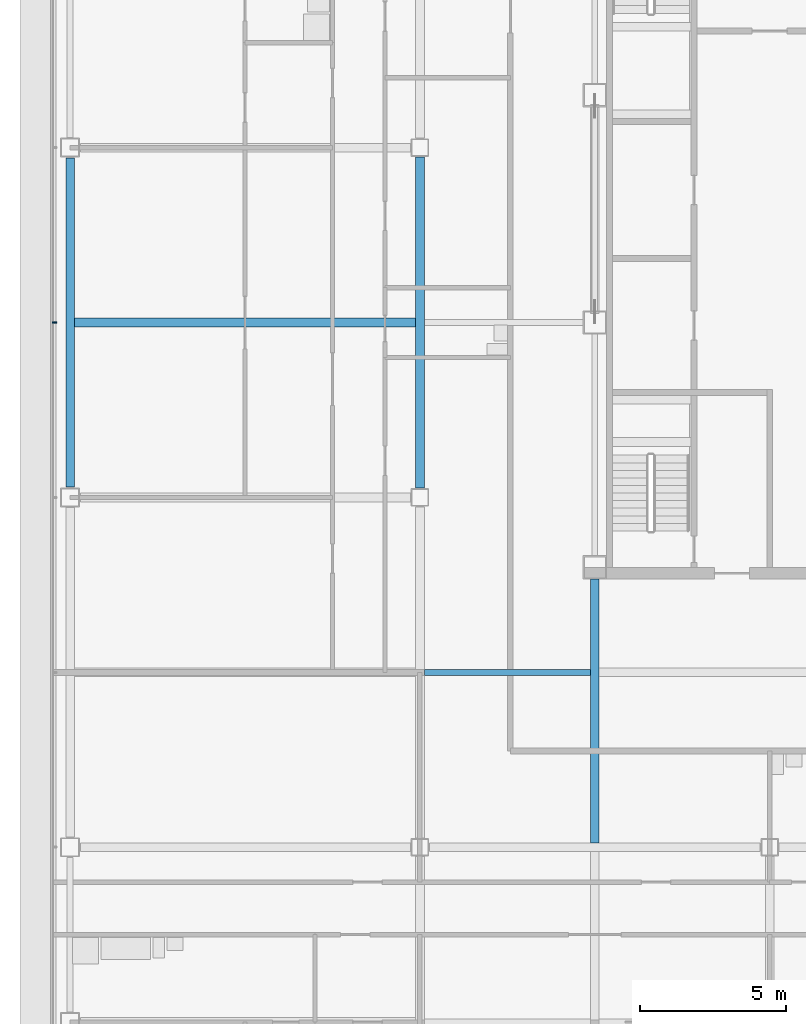
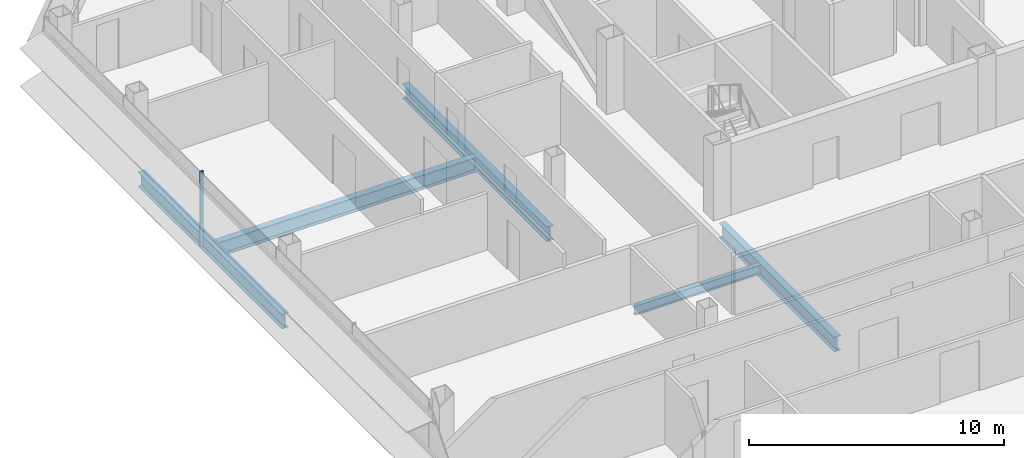
# One storey, part 6 of 29: 5 beams, 1 member, 1 element without a shape of its own.
"""IFC4 building model written with IfcOpenShell, lengths in metres."""

from ifc_helpers import new_model, si_unit, direction, frame, origin, origin_2d, place, context, subcontext, project, spatial, rectangle, i_section, extrude, material, material_profile, profile_set, type_object, element, aggregate, save


model = new_model("IFC4")

# Units and contexts
model_context = context("Model", 3, precision=1e-05, world=origin(), true_north=direction((0.0, 1.0)))
body_context = subcontext(model_context, "Body", "Model", "MODEL_VIEW")
ifc_project = project(units=[si_unit("LENGTHUNIT", "METRE"), si_unit("AREAUNIT", "SQUARE_METRE"), si_unit("VOLUMEUNIT", "CUBIC_METRE"), si_unit("PLANEANGLEUNIT", "RADIAN"), si_unit("MASSUNIT", "GRAM", prefix="KILO")], contexts=[model_context])

# Site, building, storey
site_placement = place(None, origin())
site = spatial("IfcSite", under=ifc_project, at=site_placement, CompositionType="ELEMENT")
building_placement = place(site_placement, origin())
building = spatial("IfcBuilding", under=site, at=building_placement, Name="Sorahane Residences", CompositionType="ELEMENT")
storey_placement = place(building_placement, frame((0.0, 0.0, 199.199951171875)))
storey = spatial("IfcBuildingStorey", under=building, at=storey_placement, Name="L46", CompositionType="ELEMENT", Elevation=199.199951171875)

# Curtain wall, member
ifc_material_1 = material(Name="Dark low-e glass and black anodised aluminium", Category="aluminium")
curtain_wall_type = type_object("IfcCurtainWallType", Name="Curtain wall CW-1 Typical unitised wall", PredefinedType="NOTDEFINED", material=ifc_material_1)
curtain_wall_placement = place(storey_placement, origin())
curtain_wall = element("IfcCurtainWall", 1, at=curtain_wall_placement, inside=storey, type_object=curtain_wall_type, Name="CW-1 curtain wall L46 W1", PredefinedType="NOTDEFINED")
ifc_material_2 = material(Name="Black anodised aluminium", Category="aluminium")
ifc_material_profile_1 = material_profile(ifc_material_2, rectangle(XDim=0.159912109375, YDim=0.050048828125, at=origin_2d()), Name="Curtain wall mullion CW-1 black anodised aluminium 50x160")
ifc_profile_set_1 = profile_set([ifc_material_profile_1], Name="Black anodised aluminium")
member_type = type_object("IfcMemberType", Name="Curtain wall mullion CW-1 black anodised aluminium 50x160", PredefinedType="MULLION", material=ifc_profile_set_1)
member_placement = place(storey_placement, frame((-12.5400390625, 30.0, -0.179931640625), z_axis=(0.0, 0.0, 1.0), x_axis=(-1.0, 0.0, 0.0)))
member = element("IfcMember", 2, at=member_placement, type_object=member_type, Name="CW-1 mullion L46 W1.3", PredefinedType="MULLION", context=body_context, shape_type="SweptSolid", body=[
    extrude(rectangle(XDim=0.159912109375, YDim=0.050048828125, at=origin_2d()), origin(), (0.0, 0.0, 1.0), 3.60009765625),
])
aggregate(curtain_wall, [member])

# Beams
ifc_material_3 = material(Name="Steel Q355B", Category="steel")
ifc_material_profile_2 = material_profile(ifc_material_3, i_section(OverallWidth=0.199951171875, OverallDepth=0.449951171875, WebThickness=0.009033203125, FlangeThickness=0.013916015625, FilletRadius=0.02001953125, at=origin_2d()), Name="HN 450x200x9x14")
ifc_profile_set_2 = profile_set([ifc_material_profile_2], Name="Steel Q355B")
beam_type_1 = type_object("IfcBeamType", Name="Steel floor beam HN 450x200x9x14 Q355B", PredefinedType="BEAM", material=ifc_profile_set_2)
beam_1_placement = place(storey_placement, frame((0.14990234375, 18.0, -0.405029296875), z_axis=(1.0, 0.0, 0.0), x_axis=(0.0, 1.0, 0.0)))
element("IfcBeam", 3, at=beam_1_placement, inside=storey, type_object=beam_type_1, Name="Beam L46 076", PredefinedType="BEAM", context=body_context, shape_type="SweptSolid", body=[
    extrude(i_section(OverallWidth=0.199951171875, OverallDepth=0.449951171875, WebThickness=0.009033203125, FlangeThickness=0.013916015625, FilletRadius=0.02001953125, at=origin_2d()), origin(), (0.0, 0.0, 1.0), 5.7001953125),
])
ifc_material_4 = material(Name="Steel Q355B", Category="steel")
ifc_material_profile_3 = material_profile(ifc_material_4, i_section(OverallWidth=0.300048828125, OverallDepth=0.699951171875, WebThickness=0.012939453125, FlangeThickness=0.02392578125, FilletRadius=0.028076171875, at=origin_2d()), Name="HN 700x300x13x24")
ifc_profile_set_3 = profile_set([ifc_material_profile_3], Name="Steel Q355B")
beam_type_2 = type_object("IfcBeamType", Name="Steel floor beam HN 700x300x13x24 Q355B", PredefinedType="BEAM", material=ifc_profile_set_3)
beam_2_placement = place(storey_placement, frame((-12.0, 24.35009765625, -0.530029296875), z_axis=(0.0, 1.0, 0.0), x_axis=(-1.0, 0.0, 0.0)))
element("IfcBeam", 4, at=beam_2_placement, inside=storey, type_object=beam_type_2, Name="Beam L46 021", PredefinedType="BEAM", context=body_context, shape_type="SweptSolid", body=[
    extrude(i_section(OverallWidth=0.300048828125, OverallDepth=0.699951171875, WebThickness=0.012939453125, FlangeThickness=0.02392578125, FilletRadius=0.028076171875, at=origin_2d()), origin(), (0.0, 0.0, 1.0), 11.2998046875),
])
beam_3_placement = place(storey_placement, frame((0.0, 24.324951171875, -0.530029296875), z_axis=(0.0, 1.0, 0.0), x_axis=(-1.0, 0.0, 0.0)))
element("IfcBeam", 5, at=beam_3_placement, inside=storey, type_object=beam_type_2, Name="Beam L46 025", PredefinedType="BEAM", context=body_context, shape_type="SweptSolid", body=[
    extrude(i_section(OverallWidth=0.300048828125, OverallDepth=0.699951171875, WebThickness=0.012939453125, FlangeThickness=0.02392578125, FilletRadius=0.028076171875, at=origin_2d()), origin(), (0.0, 0.0, 1.0), 11.35009765625),
])
beam_4_placement = place(storey_placement, frame((6.0, 12.14990234375, -0.530029296875), z_axis=(0.0, 1.0, 0.0), x_axis=(-1.0, 0.0, 0.0)))
element("IfcBeam", 6, at=beam_4_placement, inside=storey, type_object=beam_type_2, Name="Beam L46 028", PredefinedType="BEAM", context=body_context, shape_type="SweptSolid", body=[
    extrude(i_section(OverallWidth=0.300048828125, OverallDepth=0.699951171875, WebThickness=0.012939453125, FlangeThickness=0.02392578125, FilletRadius=0.028076171875, at=origin_2d()), origin(), (0.0, 0.0, 1.0), 9.050048828125),
])
beam_5_placement = place(storey_placement, frame((-11.85009765625, 30.0, -0.530029296875), z_axis=(1.0, 0.0, 0.0), x_axis=(0.0, 1.0, 0.0)))
element("IfcBeam", 7, at=beam_5_placement, inside=storey, type_object=beam_type_2, Name="Beam L46 082", PredefinedType="BEAM", context=body_context, shape_type="SweptSolid", body=[
    extrude(i_section(OverallWidth=0.300048828125, OverallDepth=0.699951171875, WebThickness=0.012939453125, FlangeThickness=0.02392578125, FilletRadius=0.028076171875, at=origin_2d()), origin(), (0.0, 0.0, 1.0), 11.7001953125),
])

save(model, "model.ifc")
